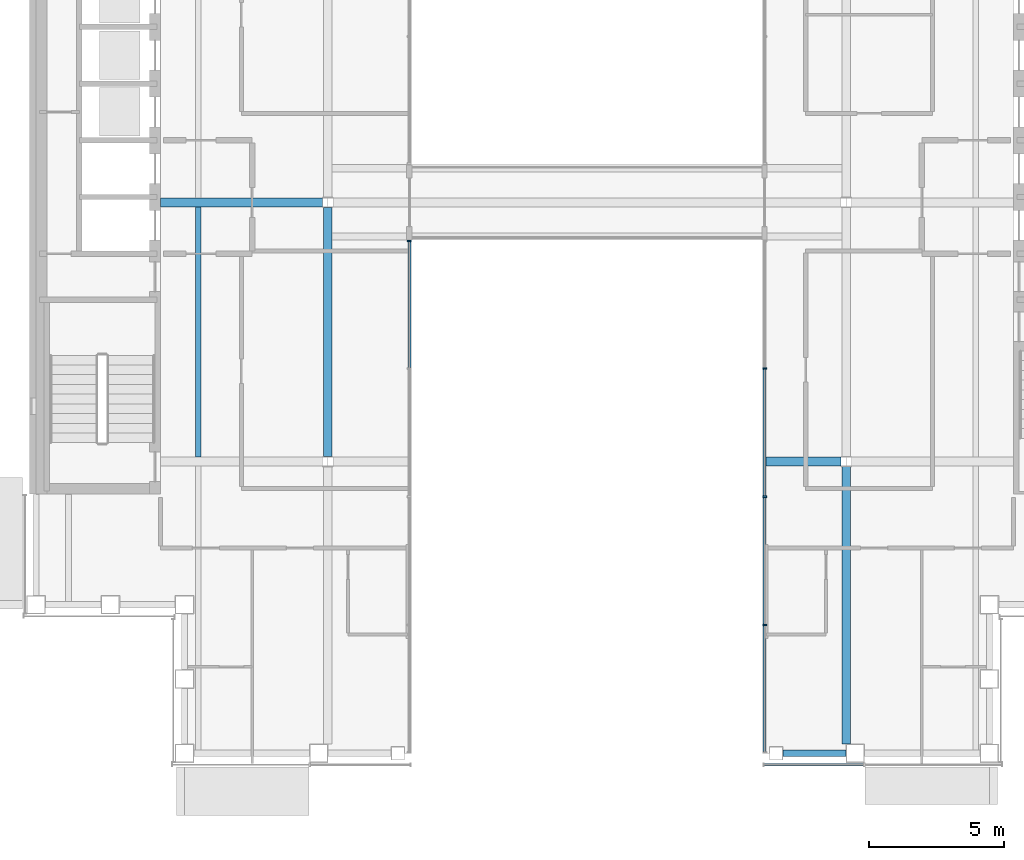
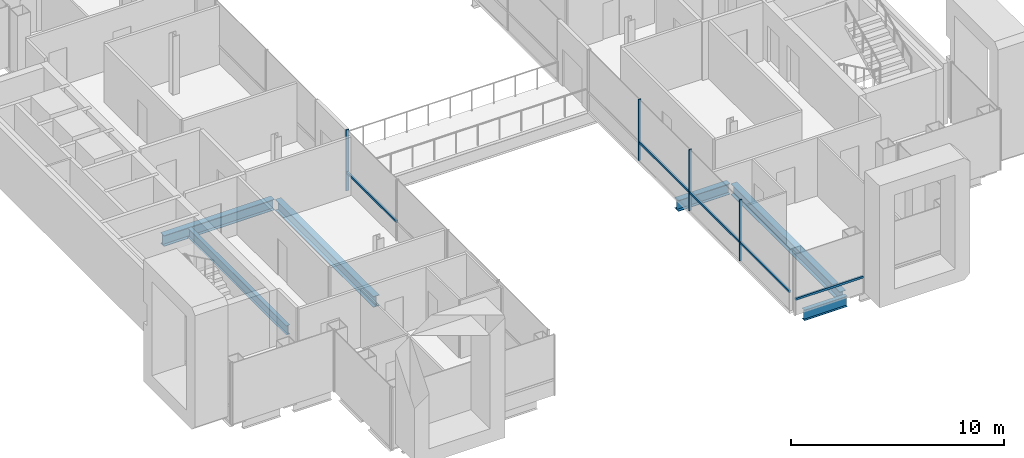
# One storey, part 4 of 17: 9 members, 6 beams, 3 elements without a shape of their own.
"""IFC4 building model written with IfcOpenShell, lengths in metres."""

from ifc_helpers import new_model, si_unit, direction, frame, origin, origin_2d, place, context, subcontext, project, spatial, rectangle, i_section, extrude, material, material_profile, profile_set, type_object, element, aggregate, save


model = new_model("IFC4")

# Units and contexts
model_context = context("Model", 3, precision=1e-05, world=origin(), true_north=direction((0.0, 1.0)))
body_context = subcontext(model_context, "Body", "Model", "MODEL_VIEW")
ifc_project = project(units=[si_unit("LENGTHUNIT", "METRE"), si_unit("AREAUNIT", "SQUARE_METRE"), si_unit("VOLUMEUNIT", "CUBIC_METRE"), si_unit("PLANEANGLEUNIT", "RADIAN"), si_unit("MASSUNIT", "GRAM", prefix="KILO")], contexts=[model_context])

# Site, building, storey
site_placement = place(None, origin())
site = spatial("IfcSite", under=ifc_project, at=site_placement, CompositionType="ELEMENT")
building_placement = place(site_placement, origin())
building = spatial("IfcBuilding", under=site, at=building_placement, Name="Cobrizo Arcos Hotel Tower", CompositionType="ELEMENT")
storey_placement = place(building_placement, frame((0.0, 0.0, 226.0)))
storey = spatial("IfcBuildingStorey", under=building, at=storey_placement, Name="L59", CompositionType="ELEMENT", Elevation=226.0)

# Curtain wall, member
ifc_material_1 = material(Name="Aluminium 6063-T6 anodised bronze", Category="aluminium")
curtain_wall_type_1 = type_object("IfcCurtainWallType", Name="CW-A guest facade", PredefinedType="NOTDEFINED", material=ifc_material_1)
curtain_wall_1_placement = place(storey_placement, origin())
curtain_wall_1 = element("IfcCurtainWall", 1, at=curtain_wall_1_placement, inside=storey, type_object=curtain_wall_type_1, Name="CW-A L59 S face", PredefinedType="NOTDEFINED")
ifc_material_profile_1 = material_profile(ifc_material_1, rectangle(XDim=0.10009765625, YDim=0.1201171875, at=origin_2d()), Name="CW-A transom 120x100")
ifc_profile_set_1 = profile_set([ifc_material_profile_1], Name="Aluminium 6063-T6 anodised bronze")
member_type_1 = type_object("IfcMemberType", Name="CW-A transom 120x100", PredefinedType="USERDEFINED", material=ifc_profile_set_1)
member_1_placement = place(storey_placement, frame((6.56005859375, -20.824951171875, 0.929931640625), z_axis=(1.0, 0.0, 0.0), x_axis=(0.0, 1.0, 0.0)))
member_1 = element("IfcMember", 2, at=member_1_placement, type_object=member_type_1, Name="CW-A transom 1930", ObjectType="TRANSOM", PredefinedType="USERDEFINED", context=body_context, shape_type="SweptSolid", body=[
    extrude(rectangle(XDim=0.10009765625, YDim=0.1201171875, at=origin_2d()), origin(), (0.0, 0.0, 1.0), 3.676513671875),
])
aggregate(curtain_wall_1, [member_1])

# Curtain wall, members
curtain_wall_type_2 = type_object("IfcCurtainWallType", Name="CW-F void screen", PredefinedType="NOTDEFINED", material=ifc_material_1)
curtain_wall_2_placement = place(storey_placement, origin())
curtain_wall_2 = element("IfcCurtainWall", 3, at=curtain_wall_2_placement, inside=storey, type_object=curtain_wall_type_2, Name="CW-F L59 void screen C", PredefinedType="NOTDEFINED")
ifc_material_profile_2 = material_profile(ifc_material_1, rectangle(XDim=0.14990234375, YDim=0.06005859375, at=origin_2d()), Name="CW-F mullion 150x60")
ifc_profile_set_2 = profile_set([ifc_material_profile_2], Name="Aluminium 6063-T6 anodised bronze")
member_type_2 = type_object("IfcMemberType", Name="CW-F mullion 150x60", PredefinedType="MULLION", material=ifc_profile_set_2)
member_2_placement = place(storey_placement, frame((6.574951171875, -15.64990234375, 0.0), z_axis=(0.0, 0.0, 1.0), x_axis=(1.0, 0.0, 0.0)))
member_2 = element("IfcMember", 4, at=member_2_placement, type_object=member_type_2, Name="CW-F mullion 2", PredefinedType="MULLION", context=body_context, shape_type="SweptSolid", body=[
    extrude(rectangle(XDim=0.14990234375, YDim=0.06005859375, at=origin_2d()), origin(), (0.0, 0.0, 1.0), 3.5),
])
member_3_placement = place(storey_placement, frame((6.574951171875, -10.89990234375, 0.0), z_axis=(0.0, 0.0, 1.0), x_axis=(1.0, 0.0, 0.0)))
member_3 = element("IfcMember", 5, at=member_3_placement, type_object=member_type_2, Name="CW-F mullion 3", PredefinedType="MULLION", context=body_context, shape_type="SweptSolid", body=[
    extrude(rectangle(XDim=0.14990234375, YDim=0.06005859375, at=origin_2d()), origin(), (0.0, 0.0, 1.0), 3.5),
])
member_4_placement = place(storey_placement, frame((6.574951171875, -6.14990234375, 0.0), z_axis=(0.0, 0.0, 1.0), x_axis=(1.0, 0.0, 0.0)))
member_4 = element("IfcMember", 6, at=member_4_placement, type_object=member_type_2, Name="CW-F mullion 4", PredefinedType="MULLION", context=body_context, shape_type="SweptSolid", body=[
    extrude(rectangle(XDim=0.14990234375, YDim=0.06005859375, at=origin_2d()), origin(), (0.0, 0.0, 1.0), 3.5),
])

# Curtain wall, member
curtain_wall_3_placement = place(storey_placement, origin())
curtain_wall_3 = element("IfcCurtainWall", 7, at=curtain_wall_3_placement, inside=storey, type_object=curtain_wall_type_2, Name="CW-F L59 void screen C", PredefinedType="NOTDEFINED")
member_5_placement = place(storey_placement, frame((-6.574951171875, -1.429931640625, 0.0), z_axis=(0.0, 0.0, 1.0), x_axis=(-1.0, 0.0, 0.0)))
member_5 = element("IfcMember", 8, at=member_5_placement, type_object=member_type_2, Name="CW-F mullion 1", PredefinedType="MULLION", context=body_context, shape_type="SweptSolid", body=[
    extrude(rectangle(XDim=0.14990234375, YDim=0.06005859375, at=origin_2d()), origin(), (0.0, 0.0, 1.0), 3.5),
])

# Member
ifc_material_profile_3 = material_profile(ifc_material_1, rectangle(XDim=0.10009765625, YDim=0.1201171875, at=origin_2d()), Name="CW-F transom 120x100")
ifc_profile_set_3 = profile_set([ifc_material_profile_3], Name="Aluminium 6063-T6 anodised bronze")
member_type_3 = type_object("IfcMemberType", Name="CW-F transom 120x100", PredefinedType="USERDEFINED", material=ifc_profile_set_3)
member_6_placement = place(storey_placement, frame((6.574951171875, -20.340087890625, 1.050048828125), z_axis=(0.0, 1.0, 0.0), x_axis=(-1.0, 0.0, 0.0)))
member_6 = element("IfcMember", 9, at=member_6_placement, type_object=member_type_3, Name="CW-F transom 2716", ObjectType="TRANSOM", PredefinedType="USERDEFINED", context=body_context, shape_type="SweptSolid", body=[
    extrude(rectangle(XDim=0.10009765625, YDim=0.1201171875, at=origin_2d()), origin(), (0.0, 0.0, 1.0), 4.66015625),
])

member_7_placement = place(storey_placement, frame((6.574951171875, -15.6201171875, 1.050048828125), z_axis=(0.0, 1.0, 0.0), x_axis=(-1.0, 0.0, 0.0)))
member_7 = element("IfcMember", 10, at=member_7_placement, type_object=member_type_3, Name="CW-F transom 2717", ObjectType="TRANSOM", PredefinedType="USERDEFINED", context=body_context, shape_type="SweptSolid", body=[
    extrude(rectangle(XDim=0.10009765625, YDim=0.1201171875, at=origin_2d()), origin(), (0.0, 0.0, 1.0), 4.690185546875),
])

member_8_placement = place(storey_placement, frame((6.574951171875, -10.8701171875, 1.050048828125), z_axis=(0.0, 1.0, 0.0), x_axis=(-1.0, 0.0, 0.0)))
member_8 = element("IfcMember", 11, at=member_8_placement, type_object=member_type_3, Name="CW-F transom 2718", ObjectType="TRANSOM", PredefinedType="USERDEFINED", context=body_context, shape_type="SweptSolid", body=[
    extrude(rectangle(XDim=0.10009765625, YDim=0.1201171875, at=origin_2d()), origin(), (0.0, 0.0, 1.0), 4.690185546875),
])

aggregate(curtain_wall_2, [member_2, member_3, member_4, member_6, member_7, member_8])

member_9_placement = place(storey_placement, frame((-6.574951171875, -1.4599609375, 1.050048828125), z_axis=(0.0, -1.0, 0.0), x_axis=(1.0, 0.0, 0.0)))
member_9 = element("IfcMember", 12, at=member_9_placement, type_object=member_type_3, Name="CW-F transom 2728", ObjectType="TRANSOM", PredefinedType="USERDEFINED", context=body_context, shape_type="SweptSolid", body=[
    extrude(rectangle(XDim=0.10009765625, YDim=0.1201171875, at=origin_2d()), origin(), (0.0, 0.0, 1.0), 4.66015625),
])

aggregate(curtain_wall_3, [member_5, member_9])

# Beams
ifc_material_2 = material(Name="Steel ASTM A992 Grade 50", Category="steel")
ifc_material_profile_4 = material_profile(ifc_material_2, i_section(OverallWidth=0.209228515625, OverallDepth=0.533447265625, WebThickness=0.01025390625, FlangeThickness=0.015625, at=origin_2d()), Name="W21X62")
ifc_profile_set_4 = profile_set([ifc_material_profile_4], Name="Steel ASTM A992 Grade 50")
beam_type_1 = type_object("IfcBeamType", Name="W21X62 joist", PredefinedType="JOIST", material=ifc_profile_set_4)
beam_1_placement = place(storey_placement, frame((-14.39990234375, -9.43603515625, -0.416748046875), z_axis=(0.0, 1.0, 0.0), x_axis=(-1.0, 0.0, 0.0)))
element("IfcBeam", 13, at=beam_1_placement, inside=storey, type_object=beam_type_1, Name="Floor joist J1, L59, no. 004", PredefinedType="JOIST", context=body_context, shape_type="SweptSolid", body=[
    extrude(i_section(OverallWidth=0.209228515625, OverallDepth=0.533447265625, WebThickness=0.01025390625, FlangeThickness=0.015625, at=origin_2d()), origin(), (0.0, 0.0, 1.0), 9.272216796875),
])
ifc_material_profile_5 = material_profile(ifc_material_2, i_section(OverallWidth=0.32763671875, OverallDepth=0.622314453125, WebThickness=0.015380859375, FlangeThickness=0.0244140625, at=origin_2d()), Name="W24X131")
ifc_profile_set_5 = profile_set([ifc_material_profile_5], Name="Steel ASTM A992 Grade 50")
beam_type_2 = type_object("IfcBeamType", Name="W24X131 girder", PredefinedType="BEAM", material=ifc_profile_set_5)
beam_2_placement = place(storey_placement, frame((6.590087890625, -9.60009765625, -0.461181640625), z_axis=(1.0, 0.0, 0.0), x_axis=(0.0, 1.0, 0.0)))
element("IfcBeam", 14, at=beam_2_placement, inside=storey, type_object=beam_type_2, Name="Floor girder G1, L59, no. 003", PredefinedType="BEAM", context=body_context, shape_type="SweptSolid", body=[
    extrude(i_section(OverallWidth=0.32763671875, OverallDepth=0.622314453125, WebThickness=0.015380859375, FlangeThickness=0.0244140625, at=origin_2d()), origin(), (0.0, 0.0, 1.0), 2.8232421875),
])
beam_3_placement = place(storey_placement, frame((-15.7900390625, 0.0, -0.461181640625), z_axis=(1.0, 0.0, 0.0), x_axis=(0.0, 1.0, 0.0)))
element("IfcBeam", 15, at=beam_3_placement, inside=storey, type_object=beam_type_2, Name="Floor girder G1, L59, no. 005", PredefinedType="BEAM", context=body_context, shape_type="SweptSolid", body=[
    extrude(i_section(OverallWidth=0.32763671875, OverallDepth=0.622314453125, WebThickness=0.015380859375, FlangeThickness=0.0244140625, at=origin_2d()), origin(), (0.0, 0.0, 1.0), 6.00341796875),
])
beam_4_placement = place(storey_placement, frame((-9.60009765625, -9.413330078125, -0.461181640625), z_axis=(0.0, 1.0, 0.0), x_axis=(-1.0, 0.0, 0.0)))
element("IfcBeam", 16, at=beam_4_placement, inside=storey, type_object=beam_type_2, Name="Floor girder G1, L59, no. 013", PredefinedType="BEAM", context=body_context, shape_type="SweptSolid", body=[
    extrude(i_section(OverallWidth=0.32763671875, OverallDepth=0.622314453125, WebThickness=0.015380859375, FlangeThickness=0.0244140625, at=origin_2d()), origin(), (0.0, 0.0, 1.0), 9.2265625),
])
beam_5_placement = place(storey_placement, frame((9.60009765625, -20.050048828125, -0.461181640625), z_axis=(0.0, 1.0, 0.0), x_axis=(-1.0, 0.0, 0.0)))
element("IfcBeam", 17, at=beam_5_placement, inside=storey, type_object=beam_type_2, Name="Floor girder G1, L59, no. 016", PredefinedType="BEAM", context=body_context, shape_type="SweptSolid", body=[
    extrude(i_section(OverallWidth=0.32763671875, OverallDepth=0.622314453125, WebThickness=0.015380859375, FlangeThickness=0.0244140625, at=origin_2d()), origin(), (0.0, 0.0, 1.0), 10.263427734375),
])
ifc_material_profile_6 = material_profile(ifc_material_2, i_section(OverallWidth=0.228271484375, OverallDepth=0.607177734375, WebThickness=0.01123046875, FlangeThickness=0.017333984375, at=origin_2d()), Name="W24X76")
ifc_profile_set_6 = profile_set([ifc_material_profile_6], Name="Steel ASTM A992 Grade 50")
beam_type_3 = type_object("IfcBeamType", Name="W24X76 spandrel", PredefinedType="SPANDREL", material=ifc_profile_set_6)
beam_6_placement = place(storey_placement, frame((9.5830078125, -20.39990234375, -0.45361328125), z_axis=(-1.0, 0.0, 0.0), x_axis=(0.0, -1.0, 0.0)))
element("IfcBeam", 18, at=beam_6_placement, inside=storey, type_object=beam_type_3, Name="Spandrel beam W24X76, L59, no. 010", PredefinedType="SPANDREL", context=body_context, shape_type="SweptSolid", body=[
    extrude(i_section(OverallWidth=0.228271484375, OverallDepth=0.607177734375, WebThickness=0.01123046875, FlangeThickness=0.017333984375, at=origin_2d()), origin(), (0.0, 0.0, 1.0), 2.3330078125),
])

save(model, "model.ifc")
